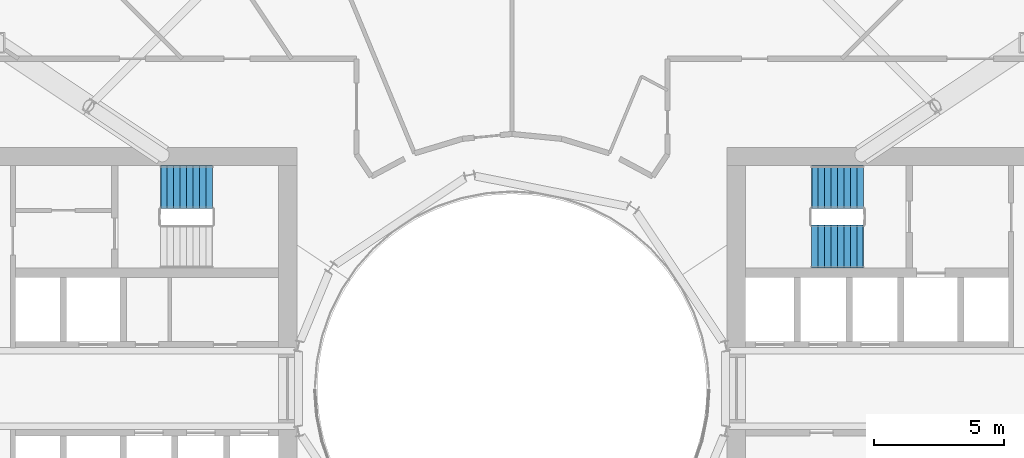
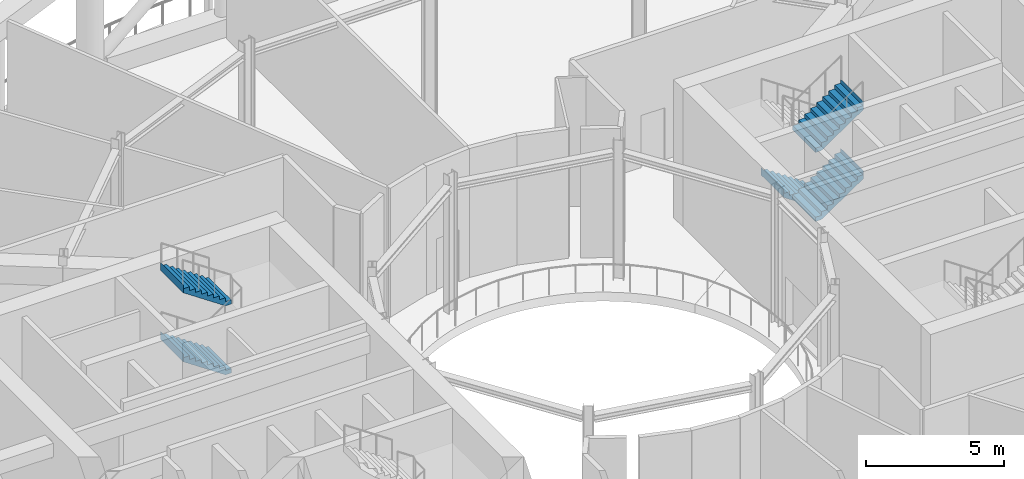
# One storey, part 17 of 23: 5 stair flights, 2 elements without a shape of their own.
"""IFC4 building model written with IfcOpenShell, lengths in metres."""

from ifc_helpers import new_model, si_unit, direction, frame, origin, place, context, subcontext, project, spatial, triangles, material, type_object, element, aggregate, save


model = new_model("IFC4")

# Units and contexts
model_context = context("Model", 3, precision=1e-05, world=origin(), true_north=direction((0.0, 1.0)))
body_context = subcontext(model_context, "Body", "Model", "MODEL_VIEW")
ifc_project = project(units=[si_unit("LENGTHUNIT", "METRE"), si_unit("AREAUNIT", "SQUARE_METRE"), si_unit("VOLUMEUNIT", "CUBIC_METRE"), si_unit("PLANEANGLEUNIT", "RADIAN"), si_unit("MASSUNIT", "GRAM", prefix="KILO")], contexts=[model_context])

# Site, building, storey
site_placement = place(None, origin())
site = spatial("IfcSite", under=ifc_project, at=site_placement, CompositionType="ELEMENT")
building_placement = place(site_placement, origin())
building = spatial("IfcBuilding", under=site, at=building_placement, Name="Maasbend Ring Residences", CompositionType="ELEMENT")
storey_placement = place(building_placement, frame((0.0, 0.0, 97.14990234375)))
storey = spatial("IfcBuildingStorey", under=building, at=storey_placement, Name="L28", CompositionType="ELEMENT", Elevation=97.14990234375)

# Stair, stair flights
ifc_material_1 = material(Name="Concrete C40/50", Category="concrete")
stair_type = type_object("IfcStairType", Name="CORE STAIR 36 RISERS", PredefinedType="HALF_TURN_STAIR", material=ifc_material_1)
stair_1_placement = place(storey_placement, origin())
stair_1 = element("IfcStair", 1, at=stair_1_placement, inside=storey, type_object=stair_type, Name="L28 Exit stair ST-E1", PredefinedType="HALF_TURN_STAIR")
ifc_material_2 = material(Name="Concrete C40/50", Category="concrete")
stair_flight_type = type_object("IfcStairFlightType", Name="CORE STAIR FLIGHT 1650", PredefinedType="STRAIGHT", material=ifc_material_2)
stair_flight_1_placement = place(storey_placement, frame((13.550048828125, 7.77490234375, 0.0), z_axis=(0.0, 0.0, 1.0), x_axis=(-1.0, 0.0, 0.0)))
stair_flight_1 = element("IfcStairFlight", 2, at=stair_flight_1_placement, type_object=stair_flight_type, Name="ST-E1 flight 1", NumberOfRisers=9, NumberOfTreads=8, PredefinedType="STRAIGHT", RiserHeight=0.169444444, TreadLength=0.25, context=body_context, shape_type="Tessellation", body=[
    triangles([(0.24072265625, 0.824951171875, -0.02001953125), (2.0029296875, 0.824951171875, 1.174560546875), (2.0029296875, 0.824951171875, 1.52490234375), (1.989990234375, 0.824951171875, 1.35546875), (1.75, 0.824951171875, 1.35546875), (1.75, 0.824951171875, 1.18603515625), (1.5, 0.824951171875, 1.18603515625), (1.5, 0.824951171875, 1.0166015625), (1.25, 0.824951171875, 1.0166015625), (1.25, 0.824951171875, 0.84716796875), (1.0, 0.824951171875, 0.84716796875), (1.0, 0.824951171875, 0.677734375), (0.75, 0.824951171875, 0.677734375), (0.75, 0.824951171875, 0.50830078125), (0.5, 0.824951171875, 0.50830078125), (0.5, 0.824951171875, 0.3388671875), (0.25, 0.824951171875, 0.3388671875), (0.25, 0.824951171875, 0.16943359375), (0.0, 0.824951171875, 0.16943359375), (0.0, 0.824951171875, 0.0), (-0.0029296875, 0.824951171875, 0.0), (-0.0029296875, 0.824951171875, -0.02001953125), (0.24072265625, 0.27490234375, -0.02001953125), (2.0029296875, 0.27490234375, 1.174560546875), (2.0029296875, 0.27490234375, 1.52490234375), (1.989990234375, 0.27490234375, 1.35546875), (1.75, 0.27490234375, 1.35546875), (1.75, 0.27490234375, 1.18603515625), (1.5, 0.27490234375, 1.18603515625), (1.5, 0.27490234375, 1.0166015625), (1.25, 0.27490234375, 1.0166015625), (1.25, 0.27490234375, 0.84716796875), (1.0, 0.27490234375, 0.84716796875), (1.0, 0.27490234375, 0.677734375), (0.75, 0.27490234375, 0.677734375), (0.75, 0.27490234375, 0.50830078125), (0.5, 0.27490234375, 0.50830078125), (0.5, 0.27490234375, 0.3388671875), (0.25, 0.27490234375, 0.3388671875), (0.25, 0.27490234375, 0.16943359375), (0.0, 0.27490234375, 0.16943359375), (0.0, 0.27490234375, 0.0), (-0.0029296875, 0.27490234375, 0.0), (-0.0029296875, 0.27490234375, -0.02001953125), (0.24072265625, -0.27490234375, -0.02001953125), (2.0029296875, -0.27490234375, 1.174560546875), (2.0029296875, -0.27490234375, 1.52490234375), (1.989990234375, -0.27490234375, 1.35546875), (1.75, -0.27490234375, 1.35546875), (1.75, -0.27490234375, 1.18603515625), (1.5, -0.27490234375, 1.18603515625), (1.5, -0.27490234375, 1.0166015625), (1.25, -0.27490234375, 1.0166015625), (1.25, -0.27490234375, 0.84716796875), (1.0, -0.27490234375, 0.84716796875), (1.0, -0.27490234375, 0.677734375), (0.75, -0.27490234375, 0.677734375), (0.75, -0.27490234375, 0.50830078125), (0.5, -0.27490234375, 0.50830078125), (0.5, -0.27490234375, 0.3388671875), (0.25, -0.27490234375, 0.3388671875), (0.25, -0.27490234375, 0.16943359375), (0.0, -0.27490234375, 0.16943359375), (0.0, -0.27490234375, 0.0), (-0.0029296875, -0.27490234375, 0.0), (-0.0029296875, -0.27490234375, -0.02001953125), (0.24072265625, -0.824951171875, -0.02001953125), (2.0029296875, -0.824951171875, 1.174560546875), (2.0029296875, -0.824951171875, 1.52490234375), (1.989990234375, -0.824951171875, 1.35546875), (1.75, -0.824951171875, 1.35546875), (1.75, -0.824951171875, 1.18603515625), (1.5, -0.824951171875, 1.18603515625), (1.5, -0.824951171875, 1.0166015625), (1.25, -0.824951171875, 1.0166015625), (1.25, -0.824951171875, 0.84716796875), (1.0, -0.824951171875, 0.84716796875), (1.0, -0.824951171875, 0.677734375), (0.75, -0.824951171875, 0.677734375), (0.75, -0.824951171875, 0.50830078125), (0.5, -0.824951171875, 0.50830078125), (0.5, -0.824951171875, 0.3388671875), (0.25, -0.824951171875, 0.3388671875), (0.25, -0.824951171875, 0.16943359375), (0.0, -0.824951171875, 0.16943359375), (0.0, -0.824951171875, 0.0), (-0.0029296875, -0.824951171875, 0.0), (-0.0029296875, -0.824951171875, -0.02001953125)], [[1, 2, 24], [1, 24, 23], [23, 24, 46], [23, 46, 45], [45, 46, 68], [45, 68, 67], [2, 3, 25], [2, 25, 24], [24, 25, 47], [24, 47, 46], [46, 47, 69], [46, 69, 68], [3, 4, 26], [3, 26, 25], [25, 26, 48], [25, 48, 47], [47, 48, 70], [47, 70, 69], [4, 5, 27], [4, 27, 26], [26, 27, 49], [26, 49, 48], [48, 49, 71], [48, 71, 70], [5, 6, 28], [5, 28, 27], [27, 28, 50], [27, 50, 49], [49, 50, 72], [49, 72, 71], [6, 7, 29], [6, 29, 28], [28, 29, 51], [28, 51, 50], [50, 51, 73], [50, 73, 72], [7, 8, 30], [7, 30, 29], [29, 30, 52], [29, 52, 51], [51, 52, 74], [51, 74, 73], [8, 9, 31], [8, 31, 30], [30, 31, 53], [30, 53, 52], [52, 53, 75], [52, 75, 74], [9, 10, 32], [9, 32, 31], [31, 32, 54], [31, 54, 53], [53, 54, 76], [53, 76, 75], [10, 11, 33], [10, 33, 32], [32, 33, 55], [32, 55, 54], [54, 55, 77], [54, 77, 76], [11, 12, 34], [11, 34, 33], [33, 34, 56], [33, 56, 55], [55, 56, 78], [55, 78, 77], [12, 13, 35], [12, 35, 34], [34, 35, 57], [34, 57, 56], [56, 57, 79], [56, 79, 78], [13, 14, 36], [13, 36, 35], [35, 36, 58], [35, 58, 57], [57, 58, 80], [57, 80, 79], [14, 15, 37], [14, 37, 36], [36, 37, 59], [36, 59, 58], [58, 59, 81], [58, 81, 80], [15, 16, 38], [15, 38, 37], [37, 38, 60], [37, 60, 59], [59, 60, 82], [59, 82, 81], [16, 17, 39], [16, 39, 38], [38, 39, 61], [38, 61, 60], [60, 61, 83], [60, 83, 82], [17, 18, 40], [17, 40, 39], [39, 40, 62], [39, 62, 61], [61, 62, 84], [61, 84, 83], [18, 19, 41], [18, 41, 40], [40, 41, 63], [40, 63, 62], [62, 63, 85], [62, 85, 84], [19, 20, 42], [19, 42, 41], [41, 42, 64], [41, 64, 63], [63, 64, 86], [63, 86, 85], [20, 21, 43], [20, 43, 42], [42, 43, 65], [42, 65, 64], [64, 65, 87], [64, 87, 86], [21, 22, 44], [21, 44, 43], [43, 44, 66], [43, 66, 65], [65, 66, 88], [65, 88, 87], [22, 1, 23], [22, 23, 44], [44, 23, 45], [44, 45, 66], [66, 45, 67], [66, 67, 88], [22, 2, 1], [2, 4, 3], [2, 5, 4], [2, 6, 5], [22, 6, 2], [6, 8, 7], [22, 8, 6], [8, 10, 9], [22, 10, 8], [10, 12, 11], [22, 12, 10], [12, 14, 13], [22, 14, 12], [14, 16, 15], [22, 16, 14], [16, 18, 17], [22, 18, 16], [18, 20, 19], [22, 20, 18], [20, 22, 21], [88, 67, 68], [68, 69, 70], [68, 70, 71], [68, 71, 72], [88, 68, 72], [72, 73, 74], [88, 72, 74], [74, 75, 76], [88, 74, 76], [76, 77, 78], [88, 76, 78], [78, 79, 80], [88, 78, 80], [80, 81, 82], [88, 80, 82], [82, 83, 84], [88, 82, 84], [84, 85, 86], [88, 84, 86], [86, 87, 88]], closed=True),
])
stair_flight_2_placement = place(storey_placement, frame((11.550048828125, 5.47509765625, 1.525146484375), z_axis=(0.0, 0.0, 1.0), x_axis=(1.0, 0.0, 0.0)))
stair_flight_2 = element("IfcStairFlight", 3, at=stair_flight_2_placement, type_object=stair_flight_type, Name="ST-E1 flight 2", NumberOfRisers=9, NumberOfTreads=8, PredefinedType="STRAIGHT", RiserHeight=0.169444444, TreadLength=0.25, context=body_context, shape_type="Tessellation", body=[
    triangles([(0.24072265625, 0.824951171875, -0.02001953125), (2.0029296875, 0.824951171875, 1.174560546875), (2.0029296875, 0.824951171875, 1.52490234375), (1.989990234375, 0.824951171875, 1.35546875), (1.75, 0.824951171875, 1.35546875), (1.75, 0.824951171875, 1.18603515625), (1.5, 0.824951171875, 1.18603515625), (1.5, 0.824951171875, 1.0166015625), (1.25, 0.824951171875, 1.0166015625), (1.25, 0.824951171875, 0.84716796875), (1.0, 0.824951171875, 0.84716796875), (1.0, 0.824951171875, 0.677734375), (0.75, 0.824951171875, 0.677734375), (0.75, 0.824951171875, 0.50830078125), (0.5, 0.824951171875, 0.50830078125), (0.5, 0.824951171875, 0.3388671875), (0.25, 0.824951171875, 0.3388671875), (0.25, 0.824951171875, 0.16943359375), (0.0, 0.824951171875, 0.16943359375), (0.0, 0.824951171875, 0.0), (-0.0029296875, 0.824951171875, 0.0), (-0.0029296875, 0.824951171875, -0.02001953125), (0.24072265625, 0.27490234375, -0.02001953125), (2.0029296875, 0.27490234375, 1.174560546875), (2.0029296875, 0.27490234375, 1.52490234375), (1.989990234375, 0.27490234375, 1.35546875), (1.75, 0.27490234375, 1.35546875), (1.75, 0.27490234375, 1.18603515625), (1.5, 0.27490234375, 1.18603515625), (1.5, 0.27490234375, 1.0166015625), (1.25, 0.27490234375, 1.0166015625), (1.25, 0.27490234375, 0.84716796875), (1.0, 0.27490234375, 0.84716796875), (1.0, 0.27490234375, 0.677734375), (0.75, 0.27490234375, 0.677734375), (0.75, 0.27490234375, 0.50830078125), (0.5, 0.27490234375, 0.50830078125), (0.5, 0.27490234375, 0.3388671875), (0.25, 0.27490234375, 0.3388671875), (0.25, 0.27490234375, 0.16943359375), (0.0, 0.27490234375, 0.16943359375), (0.0, 0.27490234375, 0.0), (-0.0029296875, 0.27490234375, 0.0), (-0.0029296875, 0.27490234375, -0.02001953125), (0.24072265625, -0.27490234375, -0.02001953125), (2.0029296875, -0.27490234375, 1.174560546875), (2.0029296875, -0.27490234375, 1.52490234375), (1.989990234375, -0.27490234375, 1.35546875), (1.75, -0.27490234375, 1.35546875), (1.75, -0.27490234375, 1.18603515625), (1.5, -0.27490234375, 1.18603515625), (1.5, -0.27490234375, 1.0166015625), (1.25, -0.27490234375, 1.0166015625), (1.25, -0.27490234375, 0.84716796875), (1.0, -0.27490234375, 0.84716796875), (1.0, -0.27490234375, 0.677734375), (0.75, -0.27490234375, 0.677734375), (0.75, -0.27490234375, 0.50830078125), (0.5, -0.27490234375, 0.50830078125), (0.5, -0.27490234375, 0.3388671875), (0.25, -0.27490234375, 0.3388671875), (0.25, -0.27490234375, 0.16943359375), (0.0, -0.27490234375, 0.16943359375), (0.0, -0.27490234375, 0.0), (-0.0029296875, -0.27490234375, 0.0), (-0.0029296875, -0.27490234375, -0.02001953125), (0.24072265625, -0.824951171875, -0.02001953125), (2.0029296875, -0.824951171875, 1.174560546875), (2.0029296875, -0.824951171875, 1.52490234375), (1.989990234375, -0.824951171875, 1.35546875), (1.75, -0.824951171875, 1.35546875), (1.75, -0.824951171875, 1.18603515625), (1.5, -0.824951171875, 1.18603515625), (1.5, -0.824951171875, 1.0166015625), (1.25, -0.824951171875, 1.0166015625), (1.25, -0.824951171875, 0.84716796875), (1.0, -0.824951171875, 0.84716796875), (1.0, -0.824951171875, 0.677734375), (0.75, -0.824951171875, 0.677734375), (0.75, -0.824951171875, 0.50830078125), (0.5, -0.824951171875, 0.50830078125), (0.5, -0.824951171875, 0.3388671875), (0.25, -0.824951171875, 0.3388671875), (0.25, -0.824951171875, 0.16943359375), (0.0, -0.824951171875, 0.16943359375), (0.0, -0.824951171875, 0.0), (-0.0029296875, -0.824951171875, 0.0), (-0.0029296875, -0.824951171875, -0.02001953125)], [[1, 2, 24], [1, 24, 23], [23, 24, 46], [23, 46, 45], [45, 46, 68], [45, 68, 67], [2, 3, 25], [2, 25, 24], [24, 25, 47], [24, 47, 46], [46, 47, 69], [46, 69, 68], [3, 4, 26], [3, 26, 25], [25, 26, 48], [25, 48, 47], [47, 48, 70], [47, 70, 69], [4, 5, 27], [4, 27, 26], [26, 27, 49], [26, 49, 48], [48, 49, 71], [48, 71, 70], [5, 6, 28], [5, 28, 27], [27, 28, 50], [27, 50, 49], [49, 50, 72], [49, 72, 71], [6, 7, 29], [6, 29, 28], [28, 29, 51], [28, 51, 50], [50, 51, 73], [50, 73, 72], [7, 8, 30], [7, 30, 29], [29, 30, 52], [29, 52, 51], [51, 52, 74], [51, 74, 73], [8, 9, 31], [8, 31, 30], [30, 31, 53], [30, 53, 52], [52, 53, 75], [52, 75, 74], [9, 10, 32], [9, 32, 31], [31, 32, 54], [31, 54, 53], [53, 54, 76], [53, 76, 75], [10, 11, 33], [10, 33, 32], [32, 33, 55], [32, 55, 54], [54, 55, 77], [54, 77, 76], [11, 12, 34], [11, 34, 33], [33, 34, 56], [33, 56, 55], [55, 56, 78], [55, 78, 77], [12, 13, 35], [12, 35, 34], [34, 35, 57], [34, 57, 56], [56, 57, 79], [56, 79, 78], [13, 14, 36], [13, 36, 35], [35, 36, 58], [35, 58, 57], [57, 58, 80], [57, 80, 79], [14, 15, 37], [14, 37, 36], [36, 37, 59], [36, 59, 58], [58, 59, 81], [58, 81, 80], [15, 16, 38], [15, 38, 37], [37, 38, 60], [37, 60, 59], [59, 60, 82], [59, 82, 81], [16, 17, 39], [16, 39, 38], [38, 39, 61], [38, 61, 60], [60, 61, 83], [60, 83, 82], [17, 18, 40], [17, 40, 39], [39, 40, 62], [39, 62, 61], [61, 62, 84], [61, 84, 83], [18, 19, 41], [18, 41, 40], [40, 41, 63], [40, 63, 62], [62, 63, 85], [62, 85, 84], [19, 20, 42], [19, 42, 41], [41, 42, 64], [41, 64, 63], [63, 64, 86], [63, 86, 85], [20, 21, 43], [20, 43, 42], [42, 43, 65], [42, 65, 64], [64, 65, 87], [64, 87, 86], [21, 22, 44], [21, 44, 43], [43, 44, 66], [43, 66, 65], [65, 66, 88], [65, 88, 87], [22, 1, 23], [22, 23, 44], [44, 23, 45], [44, 45, 66], [66, 45, 67], [66, 67, 88], [22, 2, 1], [2, 4, 3], [2, 5, 4], [2, 6, 5], [22, 6, 2], [6, 8, 7], [22, 8, 6], [8, 10, 9], [22, 10, 8], [10, 12, 11], [22, 12, 10], [12, 14, 13], [22, 14, 12], [14, 16, 15], [22, 16, 14], [16, 18, 17], [22, 18, 16], [18, 20, 19], [22, 20, 18], [20, 22, 21], [88, 67, 68], [68, 69, 70], [68, 70, 71], [68, 71, 72], [88, 68, 72], [72, 73, 74], [88, 72, 74], [74, 75, 76], [88, 74, 76], [76, 77, 78], [88, 76, 78], [78, 79, 80], [88, 78, 80], [80, 81, 82], [88, 80, 82], [82, 83, 84], [88, 82, 84], [84, 85, 86], [88, 84, 86], [86, 87, 88]], closed=True),
])
stair_flight_3_placement = place(storey_placement, frame((11.550048828125, 5.47509765625, 4.5751953125), z_axis=(0.0, 0.0, 1.0), x_axis=(1.0, 0.0, 0.0)))
stair_flight_3 = element("IfcStairFlight", 4, at=stair_flight_3_placement, type_object=stair_flight_type, Name="ST-E1 flight 4", NumberOfRisers=9, NumberOfTreads=8, PredefinedType="STRAIGHT", RiserHeight=0.169444444, TreadLength=0.25, context=body_context, shape_type="Tessellation", body=[
    triangles([(0.24072265625, 0.824951171875, -0.02001953125), (2.0029296875, 0.824951171875, 1.174560546875), (2.0029296875, 0.824951171875, 1.52490234375), (1.989990234375, 0.824951171875, 1.35546875), (1.75, 0.824951171875, 1.35546875), (1.75, 0.824951171875, 1.18603515625), (1.5, 0.824951171875, 1.18603515625), (1.5, 0.824951171875, 1.0166015625), (1.25, 0.824951171875, 1.0166015625), (1.25, 0.824951171875, 0.84716796875), (1.0, 0.824951171875, 0.84716796875), (1.0, 0.824951171875, 0.677734375), (0.75, 0.824951171875, 0.677734375), (0.75, 0.824951171875, 0.50830078125), (0.5, 0.824951171875, 0.50830078125), (0.5, 0.824951171875, 0.3388671875), (0.25, 0.824951171875, 0.3388671875), (0.25, 0.824951171875, 0.16943359375), (0.0, 0.824951171875, 0.16943359375), (0.0, 0.824951171875, 0.0), (-0.0029296875, 0.824951171875, 0.0), (-0.0029296875, 0.824951171875, -0.02001953125), (0.24072265625, 0.27490234375, -0.02001953125), (2.0029296875, 0.27490234375, 1.174560546875), (2.0029296875, 0.27490234375, 1.52490234375), (1.989990234375, 0.27490234375, 1.35546875), (1.75, 0.27490234375, 1.35546875), (1.75, 0.27490234375, 1.18603515625), (1.5, 0.27490234375, 1.18603515625), (1.5, 0.27490234375, 1.0166015625), (1.25, 0.27490234375, 1.0166015625), (1.25, 0.27490234375, 0.84716796875), (1.0, 0.27490234375, 0.84716796875), (1.0, 0.27490234375, 0.677734375), (0.75, 0.27490234375, 0.677734375), (0.75, 0.27490234375, 0.50830078125), (0.5, 0.27490234375, 0.50830078125), (0.5, 0.27490234375, 0.3388671875), (0.25, 0.27490234375, 0.3388671875), (0.25, 0.27490234375, 0.16943359375), (0.0, 0.27490234375, 0.16943359375), (0.0, 0.27490234375, 0.0), (-0.0029296875, 0.27490234375, 0.0), (-0.0029296875, 0.27490234375, -0.02001953125), (0.24072265625, -0.27490234375, -0.02001953125), (2.0029296875, -0.27490234375, 1.174560546875), (2.0029296875, -0.27490234375, 1.52490234375), (1.989990234375, -0.27490234375, 1.35546875), (1.75, -0.27490234375, 1.35546875), (1.75, -0.27490234375, 1.18603515625), (1.5, -0.27490234375, 1.18603515625), (1.5, -0.27490234375, 1.0166015625), (1.25, -0.27490234375, 1.0166015625), (1.25, -0.27490234375, 0.84716796875), (1.0, -0.27490234375, 0.84716796875), (1.0, -0.27490234375, 0.677734375), (0.75, -0.27490234375, 0.677734375), (0.75, -0.27490234375, 0.50830078125), (0.5, -0.27490234375, 0.50830078125), (0.5, -0.27490234375, 0.3388671875), (0.25, -0.27490234375, 0.3388671875), (0.25, -0.27490234375, 0.16943359375), (0.0, -0.27490234375, 0.16943359375), (0.0, -0.27490234375, 0.0), (-0.0029296875, -0.27490234375, 0.0), (-0.0029296875, -0.27490234375, -0.02001953125), (0.24072265625, -0.824951171875, -0.02001953125), (2.0029296875, -0.824951171875, 1.174560546875), (2.0029296875, -0.824951171875, 1.52490234375), (1.989990234375, -0.824951171875, 1.35546875), (1.75, -0.824951171875, 1.35546875), (1.75, -0.824951171875, 1.18603515625), (1.5, -0.824951171875, 1.18603515625), (1.5, -0.824951171875, 1.0166015625), (1.25, -0.824951171875, 1.0166015625), (1.25, -0.824951171875, 0.84716796875), (1.0, -0.824951171875, 0.84716796875), (1.0, -0.824951171875, 0.677734375), (0.75, -0.824951171875, 0.677734375), (0.75, -0.824951171875, 0.50830078125), (0.5, -0.824951171875, 0.50830078125), (0.5, -0.824951171875, 0.3388671875), (0.25, -0.824951171875, 0.3388671875), (0.25, -0.824951171875, 0.16943359375), (0.0, -0.824951171875, 0.16943359375), (0.0, -0.824951171875, 0.0), (-0.0029296875, -0.824951171875, 0.0), (-0.0029296875, -0.824951171875, -0.02001953125)], [[1, 2, 24], [1, 24, 23], [23, 24, 46], [23, 46, 45], [45, 46, 68], [45, 68, 67], [2, 3, 25], [2, 25, 24], [24, 25, 47], [24, 47, 46], [46, 47, 69], [46, 69, 68], [3, 4, 26], [3, 26, 25], [25, 26, 48], [25, 48, 47], [47, 48, 70], [47, 70, 69], [4, 5, 27], [4, 27, 26], [26, 27, 49], [26, 49, 48], [48, 49, 71], [48, 71, 70], [5, 6, 28], [5, 28, 27], [27, 28, 50], [27, 50, 49], [49, 50, 72], [49, 72, 71], [6, 7, 29], [6, 29, 28], [28, 29, 51], [28, 51, 50], [50, 51, 73], [50, 73, 72], [7, 8, 30], [7, 30, 29], [29, 30, 52], [29, 52, 51], [51, 52, 74], [51, 74, 73], [8, 9, 31], [8, 31, 30], [30, 31, 53], [30, 53, 52], [52, 53, 75], [52, 75, 74], [9, 10, 32], [9, 32, 31], [31, 32, 54], [31, 54, 53], [53, 54, 76], [53, 76, 75], [10, 11, 33], [10, 33, 32], [32, 33, 55], [32, 55, 54], [54, 55, 77], [54, 77, 76], [11, 12, 34], [11, 34, 33], [33, 34, 56], [33, 56, 55], [55, 56, 78], [55, 78, 77], [12, 13, 35], [12, 35, 34], [34, 35, 57], [34, 57, 56], [56, 57, 79], [56, 79, 78], [13, 14, 36], [13, 36, 35], [35, 36, 58], [35, 58, 57], [57, 58, 80], [57, 80, 79], [14, 15, 37], [14, 37, 36], [36, 37, 59], [36, 59, 58], [58, 59, 81], [58, 81, 80], [15, 16, 38], [15, 38, 37], [37, 38, 60], [37, 60, 59], [59, 60, 82], [59, 82, 81], [16, 17, 39], [16, 39, 38], [38, 39, 61], [38, 61, 60], [60, 61, 83], [60, 83, 82], [17, 18, 40], [17, 40, 39], [39, 40, 62], [39, 62, 61], [61, 62, 84], [61, 84, 83], [18, 19, 41], [18, 41, 40], [40, 41, 63], [40, 63, 62], [62, 63, 85], [62, 85, 84], [19, 20, 42], [19, 42, 41], [41, 42, 64], [41, 64, 63], [63, 64, 86], [63, 86, 85], [20, 21, 43], [20, 43, 42], [42, 43, 65], [42, 65, 64], [64, 65, 87], [64, 87, 86], [21, 22, 44], [21, 44, 43], [43, 44, 66], [43, 66, 65], [65, 66, 88], [65, 88, 87], [22, 1, 23], [22, 23, 44], [44, 23, 45], [44, 45, 66], [66, 45, 67], [66, 67, 88], [22, 2, 1], [2, 4, 3], [2, 5, 4], [2, 6, 5], [22, 6, 2], [6, 8, 7], [22, 8, 6], [8, 10, 9], [22, 10, 8], [10, 12, 11], [22, 12, 10], [12, 14, 13], [22, 14, 12], [14, 16, 15], [22, 16, 14], [16, 18, 17], [22, 18, 16], [18, 20, 19], [22, 20, 18], [20, 22, 21], [88, 67, 68], [68, 69, 70], [68, 70, 71], [68, 71, 72], [88, 68, 72], [72, 73, 74], [88, 72, 74], [74, 75, 76], [88, 74, 76], [76, 77, 78], [88, 76, 78], [78, 79, 80], [88, 78, 80], [80, 81, 82], [88, 80, 82], [82, 83, 84], [88, 82, 84], [84, 85, 86], [88, 84, 86], [86, 87, 88]], closed=True),
])
aggregate(stair_1, [stair_flight_1, stair_flight_2, stair_flight_3])

stair_2_placement = place(storey_placement, origin())
stair_2 = element("IfcStair", 5, at=stair_2_placement, inside=storey, type_object=stair_type, Name="L28 Exit stair ST-W2", PredefinedType="HALF_TURN_STAIR")
stair_flight_4_placement = place(storey_placement, frame((-11.550048828125, 7.77490234375, 1.525146484375), z_axis=(0.0, 0.0, 1.0), x_axis=(-1.0, 0.0, 0.0)))
stair_flight_4 = element("IfcStairFlight", 6, at=stair_flight_4_placement, type_object=stair_flight_type, Name="ST-W2 flight 2", NumberOfRisers=9, NumberOfTreads=8, PredefinedType="STRAIGHT", RiserHeight=0.169444444, TreadLength=0.25, context=body_context, shape_type="Tessellation", body=[
    triangles([(0.24072265625, 0.824951171875, -0.02001953125), (2.0029296875, 0.824951171875, 1.174560546875), (2.0029296875, 0.824951171875, 1.52490234375), (1.989990234375, 0.824951171875, 1.35546875), (1.75, 0.824951171875, 1.35546875), (1.75, 0.824951171875, 1.18603515625), (1.5, 0.824951171875, 1.18603515625), (1.5, 0.824951171875, 1.0166015625), (1.25, 0.824951171875, 1.0166015625), (1.25, 0.824951171875, 0.84716796875), (1.0, 0.824951171875, 0.84716796875), (1.0, 0.824951171875, 0.677734375), (0.75, 0.824951171875, 0.677734375), (0.75, 0.824951171875, 0.50830078125), (0.5, 0.824951171875, 0.50830078125), (0.5, 0.824951171875, 0.3388671875), (0.25, 0.824951171875, 0.3388671875), (0.25, 0.824951171875, 0.16943359375), (0.0, 0.824951171875, 0.16943359375), (0.0, 0.824951171875, 0.0), (-0.0029296875, 0.824951171875, 0.0), (-0.0029296875, 0.824951171875, -0.02001953125), (0.24072265625, 0.27490234375, -0.02001953125), (2.0029296875, 0.27490234375, 1.174560546875), (2.0029296875, 0.27490234375, 1.52490234375), (1.989990234375, 0.27490234375, 1.35546875), (1.75, 0.27490234375, 1.35546875), (1.75, 0.27490234375, 1.18603515625), (1.5, 0.27490234375, 1.18603515625), (1.5, 0.27490234375, 1.0166015625), (1.25, 0.27490234375, 1.0166015625), (1.25, 0.27490234375, 0.84716796875), (1.0, 0.27490234375, 0.84716796875), (1.0, 0.27490234375, 0.677734375), (0.75, 0.27490234375, 0.677734375), (0.75, 0.27490234375, 0.50830078125), (0.5, 0.27490234375, 0.50830078125), (0.5, 0.27490234375, 0.3388671875), (0.25, 0.27490234375, 0.3388671875), (0.25, 0.27490234375, 0.16943359375), (0.0, 0.27490234375, 0.16943359375), (0.0, 0.27490234375, 0.0), (-0.0029296875, 0.27490234375, 0.0), (-0.0029296875, 0.27490234375, -0.02001953125), (0.24072265625, -0.27490234375, -0.02001953125), (2.0029296875, -0.27490234375, 1.174560546875), (2.0029296875, -0.27490234375, 1.52490234375), (1.989990234375, -0.27490234375, 1.35546875), (1.75, -0.27490234375, 1.35546875), (1.75, -0.27490234375, 1.18603515625), (1.5, -0.27490234375, 1.18603515625), (1.5, -0.27490234375, 1.0166015625), (1.25, -0.27490234375, 1.0166015625), (1.25, -0.27490234375, 0.84716796875), (1.0, -0.27490234375, 0.84716796875), (1.0, -0.27490234375, 0.677734375), (0.75, -0.27490234375, 0.677734375), (0.75, -0.27490234375, 0.50830078125), (0.5, -0.27490234375, 0.50830078125), (0.5, -0.27490234375, 0.3388671875), (0.25, -0.27490234375, 0.3388671875), (0.25, -0.27490234375, 0.16943359375), (0.0, -0.27490234375, 0.16943359375), (0.0, -0.27490234375, 0.0), (-0.0029296875, -0.27490234375, 0.0), (-0.0029296875, -0.27490234375, -0.02001953125), (0.24072265625, -0.824951171875, -0.02001953125), (2.0029296875, -0.824951171875, 1.174560546875), (2.0029296875, -0.824951171875, 1.52490234375), (1.989990234375, -0.824951171875, 1.35546875), (1.75, -0.824951171875, 1.35546875), (1.75, -0.824951171875, 1.18603515625), (1.5, -0.824951171875, 1.18603515625), (1.5, -0.824951171875, 1.0166015625), (1.25, -0.824951171875, 1.0166015625), (1.25, -0.824951171875, 0.84716796875), (1.0, -0.824951171875, 0.84716796875), (1.0, -0.824951171875, 0.677734375), (0.75, -0.824951171875, 0.677734375), (0.75, -0.824951171875, 0.50830078125), (0.5, -0.824951171875, 0.50830078125), (0.5, -0.824951171875, 0.3388671875), (0.25, -0.824951171875, 0.3388671875), (0.25, -0.824951171875, 0.16943359375), (0.0, -0.824951171875, 0.16943359375), (0.0, -0.824951171875, 0.0), (-0.0029296875, -0.824951171875, 0.0), (-0.0029296875, -0.824951171875, -0.02001953125)], [[1, 2, 24], [1, 24, 23], [23, 24, 46], [23, 46, 45], [45, 46, 68], [45, 68, 67], [2, 3, 25], [2, 25, 24], [24, 25, 47], [24, 47, 46], [46, 47, 69], [46, 69, 68], [3, 4, 26], [3, 26, 25], [25, 26, 48], [25, 48, 47], [47, 48, 70], [47, 70, 69], [4, 5, 27], [4, 27, 26], [26, 27, 49], [26, 49, 48], [48, 49, 71], [48, 71, 70], [5, 6, 28], [5, 28, 27], [27, 28, 50], [27, 50, 49], [49, 50, 72], [49, 72, 71], [6, 7, 29], [6, 29, 28], [28, 29, 51], [28, 51, 50], [50, 51, 73], [50, 73, 72], [7, 8, 30], [7, 30, 29], [29, 30, 52], [29, 52, 51], [51, 52, 74], [51, 74, 73], [8, 9, 31], [8, 31, 30], [30, 31, 53], [30, 53, 52], [52, 53, 75], [52, 75, 74], [9, 10, 32], [9, 32, 31], [31, 32, 54], [31, 54, 53], [53, 54, 76], [53, 76, 75], [10, 11, 33], [10, 33, 32], [32, 33, 55], [32, 55, 54], [54, 55, 77], [54, 77, 76], [11, 12, 34], [11, 34, 33], [33, 34, 56], [33, 56, 55], [55, 56, 78], [55, 78, 77], [12, 13, 35], [12, 35, 34], [34, 35, 57], [34, 57, 56], [56, 57, 79], [56, 79, 78], [13, 14, 36], [13, 36, 35], [35, 36, 58], [35, 58, 57], [57, 58, 80], [57, 80, 79], [14, 15, 37], [14, 37, 36], [36, 37, 59], [36, 59, 58], [58, 59, 81], [58, 81, 80], [15, 16, 38], [15, 38, 37], [37, 38, 60], [37, 60, 59], [59, 60, 82], [59, 82, 81], [16, 17, 39], [16, 39, 38], [38, 39, 61], [38, 61, 60], [60, 61, 83], [60, 83, 82], [17, 18, 40], [17, 40, 39], [39, 40, 62], [39, 62, 61], [61, 62, 84], [61, 84, 83], [18, 19, 41], [18, 41, 40], [40, 41, 63], [40, 63, 62], [62, 63, 85], [62, 85, 84], [19, 20, 42], [19, 42, 41], [41, 42, 64], [41, 64, 63], [63, 64, 86], [63, 86, 85], [20, 21, 43], [20, 43, 42], [42, 43, 65], [42, 65, 64], [64, 65, 87], [64, 87, 86], [21, 22, 44], [21, 44, 43], [43, 44, 66], [43, 66, 65], [65, 66, 88], [65, 88, 87], [22, 1, 23], [22, 23, 44], [44, 23, 45], [44, 45, 66], [66, 45, 67], [66, 67, 88], [22, 2, 1], [2, 4, 3], [2, 5, 4], [2, 6, 5], [22, 6, 2], [6, 8, 7], [22, 8, 6], [8, 10, 9], [22, 10, 8], [10, 12, 11], [22, 12, 10], [12, 14, 13], [22, 14, 12], [14, 16, 15], [22, 16, 14], [16, 18, 17], [22, 18, 16], [18, 20, 19], [22, 20, 18], [20, 22, 21], [88, 67, 68], [68, 69, 70], [68, 70, 71], [68, 71, 72], [88, 68, 72], [72, 73, 74], [88, 72, 74], [74, 75, 76], [88, 74, 76], [76, 77, 78], [88, 76, 78], [78, 79, 80], [88, 78, 80], [80, 81, 82], [88, 80, 82], [82, 83, 84], [88, 82, 84], [84, 85, 86], [88, 84, 86], [86, 87, 88]], closed=True),
])
stair_flight_5_placement = place(storey_placement, frame((-11.550048828125, 7.77490234375, 4.5751953125), z_axis=(0.0, 0.0, 1.0), x_axis=(-1.0, 0.0, 0.0)))
stair_flight_5 = element("IfcStairFlight", 7, at=stair_flight_5_placement, type_object=stair_flight_type, Name="ST-W2 flight 4", NumberOfRisers=9, NumberOfTreads=8, PredefinedType="STRAIGHT", RiserHeight=0.169444444, TreadLength=0.25, context=body_context, shape_type="Tessellation", body=[
    triangles([(0.24072265625, 0.824951171875, -0.02001953125), (2.0029296875, 0.824951171875, 1.174560546875), (2.0029296875, 0.824951171875, 1.52490234375), (1.989990234375, 0.824951171875, 1.35546875), (1.75, 0.824951171875, 1.35546875), (1.75, 0.824951171875, 1.18603515625), (1.5, 0.824951171875, 1.18603515625), (1.5, 0.824951171875, 1.0166015625), (1.25, 0.824951171875, 1.0166015625), (1.25, 0.824951171875, 0.84716796875), (1.0, 0.824951171875, 0.84716796875), (1.0, 0.824951171875, 0.677734375), (0.75, 0.824951171875, 0.677734375), (0.75, 0.824951171875, 0.50830078125), (0.5, 0.824951171875, 0.50830078125), (0.5, 0.824951171875, 0.3388671875), (0.25, 0.824951171875, 0.3388671875), (0.25, 0.824951171875, 0.16943359375), (0.0, 0.824951171875, 0.16943359375), (0.0, 0.824951171875, 0.0), (-0.0029296875, 0.824951171875, 0.0), (-0.0029296875, 0.824951171875, -0.02001953125), (0.24072265625, 0.27490234375, -0.02001953125), (2.0029296875, 0.27490234375, 1.174560546875), (2.0029296875, 0.27490234375, 1.52490234375), (1.989990234375, 0.27490234375, 1.35546875), (1.75, 0.27490234375, 1.35546875), (1.75, 0.27490234375, 1.18603515625), (1.5, 0.27490234375, 1.18603515625), (1.5, 0.27490234375, 1.0166015625), (1.25, 0.27490234375, 1.0166015625), (1.25, 0.27490234375, 0.84716796875), (1.0, 0.27490234375, 0.84716796875), (1.0, 0.27490234375, 0.677734375), (0.75, 0.27490234375, 0.677734375), (0.75, 0.27490234375, 0.50830078125), (0.5, 0.27490234375, 0.50830078125), (0.5, 0.27490234375, 0.3388671875), (0.25, 0.27490234375, 0.3388671875), (0.25, 0.27490234375, 0.16943359375), (0.0, 0.27490234375, 0.16943359375), (0.0, 0.27490234375, 0.0), (-0.0029296875, 0.27490234375, 0.0), (-0.0029296875, 0.27490234375, -0.02001953125), (0.24072265625, -0.27490234375, -0.02001953125), (2.0029296875, -0.27490234375, 1.174560546875), (2.0029296875, -0.27490234375, 1.52490234375), (1.989990234375, -0.27490234375, 1.35546875), (1.75, -0.27490234375, 1.35546875), (1.75, -0.27490234375, 1.18603515625), (1.5, -0.27490234375, 1.18603515625), (1.5, -0.27490234375, 1.0166015625), (1.25, -0.27490234375, 1.0166015625), (1.25, -0.27490234375, 0.84716796875), (1.0, -0.27490234375, 0.84716796875), (1.0, -0.27490234375, 0.677734375), (0.75, -0.27490234375, 0.677734375), (0.75, -0.27490234375, 0.50830078125), (0.5, -0.27490234375, 0.50830078125), (0.5, -0.27490234375, 0.3388671875), (0.25, -0.27490234375, 0.3388671875), (0.25, -0.27490234375, 0.16943359375), (0.0, -0.27490234375, 0.16943359375), (0.0, -0.27490234375, 0.0), (-0.0029296875, -0.27490234375, 0.0), (-0.0029296875, -0.27490234375, -0.02001953125), (0.24072265625, -0.824951171875, -0.02001953125), (2.0029296875, -0.824951171875, 1.174560546875), (2.0029296875, -0.824951171875, 1.52490234375), (1.989990234375, -0.824951171875, 1.35546875), (1.75, -0.824951171875, 1.35546875), (1.75, -0.824951171875, 1.18603515625), (1.5, -0.824951171875, 1.18603515625), (1.5, -0.824951171875, 1.0166015625), (1.25, -0.824951171875, 1.0166015625), (1.25, -0.824951171875, 0.84716796875), (1.0, -0.824951171875, 0.84716796875), (1.0, -0.824951171875, 0.677734375), (0.75, -0.824951171875, 0.677734375), (0.75, -0.824951171875, 0.50830078125), (0.5, -0.824951171875, 0.50830078125), (0.5, -0.824951171875, 0.3388671875), (0.25, -0.824951171875, 0.3388671875), (0.25, -0.824951171875, 0.16943359375), (0.0, -0.824951171875, 0.16943359375), (0.0, -0.824951171875, 0.0), (-0.0029296875, -0.824951171875, 0.0), (-0.0029296875, -0.824951171875, -0.02001953125)], [[1, 2, 24], [1, 24, 23], [23, 24, 46], [23, 46, 45], [45, 46, 68], [45, 68, 67], [2, 3, 25], [2, 25, 24], [24, 25, 47], [24, 47, 46], [46, 47, 69], [46, 69, 68], [3, 4, 26], [3, 26, 25], [25, 26, 48], [25, 48, 47], [47, 48, 70], [47, 70, 69], [4, 5, 27], [4, 27, 26], [26, 27, 49], [26, 49, 48], [48, 49, 71], [48, 71, 70], [5, 6, 28], [5, 28, 27], [27, 28, 50], [27, 50, 49], [49, 50, 72], [49, 72, 71], [6, 7, 29], [6, 29, 28], [28, 29, 51], [28, 51, 50], [50, 51, 73], [50, 73, 72], [7, 8, 30], [7, 30, 29], [29, 30, 52], [29, 52, 51], [51, 52, 74], [51, 74, 73], [8, 9, 31], [8, 31, 30], [30, 31, 53], [30, 53, 52], [52, 53, 75], [52, 75, 74], [9, 10, 32], [9, 32, 31], [31, 32, 54], [31, 54, 53], [53, 54, 76], [53, 76, 75], [10, 11, 33], [10, 33, 32], [32, 33, 55], [32, 55, 54], [54, 55, 77], [54, 77, 76], [11, 12, 34], [11, 34, 33], [33, 34, 56], [33, 56, 55], [55, 56, 78], [55, 78, 77], [12, 13, 35], [12, 35, 34], [34, 35, 57], [34, 57, 56], [56, 57, 79], [56, 79, 78], [13, 14, 36], [13, 36, 35], [35, 36, 58], [35, 58, 57], [57, 58, 80], [57, 80, 79], [14, 15, 37], [14, 37, 36], [36, 37, 59], [36, 59, 58], [58, 59, 81], [58, 81, 80], [15, 16, 38], [15, 38, 37], [37, 38, 60], [37, 60, 59], [59, 60, 82], [59, 82, 81], [16, 17, 39], [16, 39, 38], [38, 39, 61], [38, 61, 60], [60, 61, 83], [60, 83, 82], [17, 18, 40], [17, 40, 39], [39, 40, 62], [39, 62, 61], [61, 62, 84], [61, 84, 83], [18, 19, 41], [18, 41, 40], [40, 41, 63], [40, 63, 62], [62, 63, 85], [62, 85, 84], [19, 20, 42], [19, 42, 41], [41, 42, 64], [41, 64, 63], [63, 64, 86], [63, 86, 85], [20, 21, 43], [20, 43, 42], [42, 43, 65], [42, 65, 64], [64, 65, 87], [64, 87, 86], [21, 22, 44], [21, 44, 43], [43, 44, 66], [43, 66, 65], [65, 66, 88], [65, 88, 87], [22, 1, 23], [22, 23, 44], [44, 23, 45], [44, 45, 66], [66, 45, 67], [66, 67, 88], [22, 2, 1], [2, 4, 3], [2, 5, 4], [2, 6, 5], [22, 6, 2], [6, 8, 7], [22, 8, 6], [8, 10, 9], [22, 10, 8], [10, 12, 11], [22, 12, 10], [12, 14, 13], [22, 14, 12], [14, 16, 15], [22, 16, 14], [16, 18, 17], [22, 18, 16], [18, 20, 19], [22, 20, 18], [20, 22, 21], [88, 67, 68], [68, 69, 70], [68, 70, 71], [68, 71, 72], [88, 68, 72], [72, 73, 74], [88, 72, 74], [74, 75, 76], [88, 74, 76], [76, 77, 78], [88, 76, 78], [78, 79, 80], [88, 78, 80], [80, 81, 82], [88, 80, 82], [82, 83, 84], [88, 82, 84], [84, 85, 86], [88, 84, 86], [86, 87, 88]], closed=True),
])
aggregate(stair_2, [stair_flight_4, stair_flight_5])

save(model, "model.ifc")
